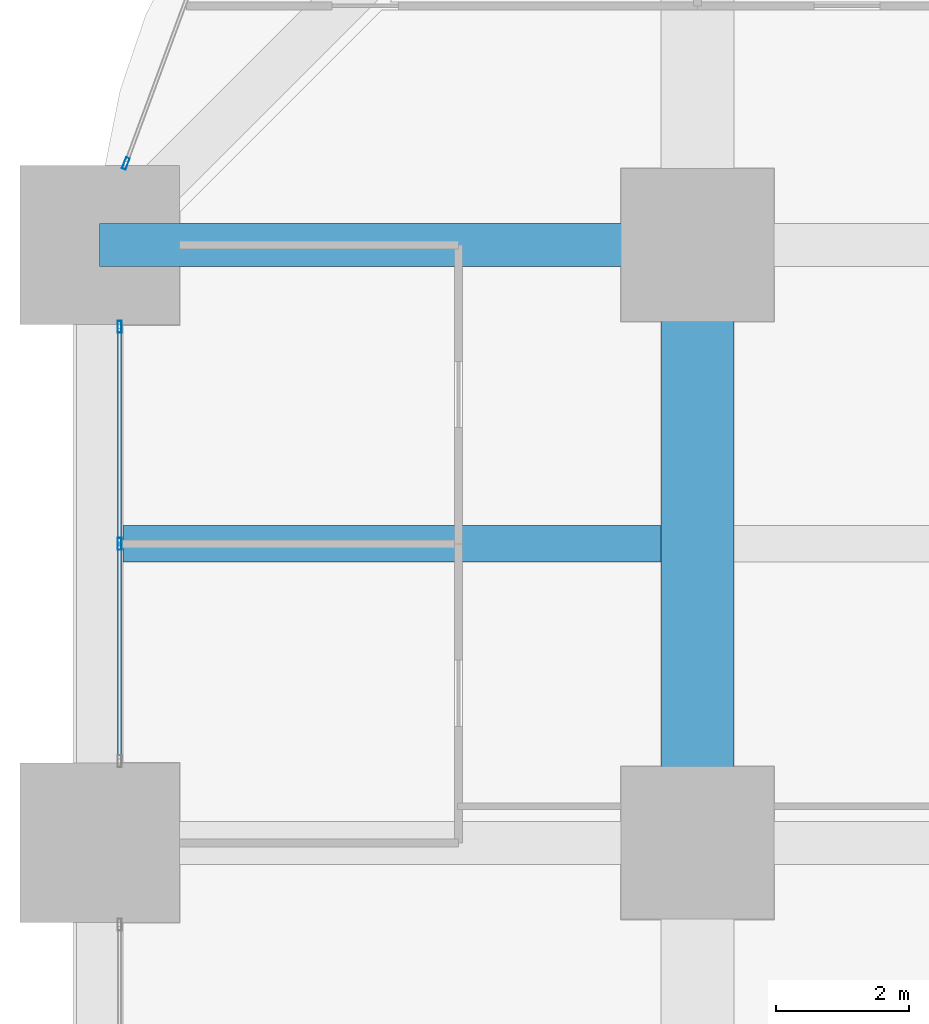
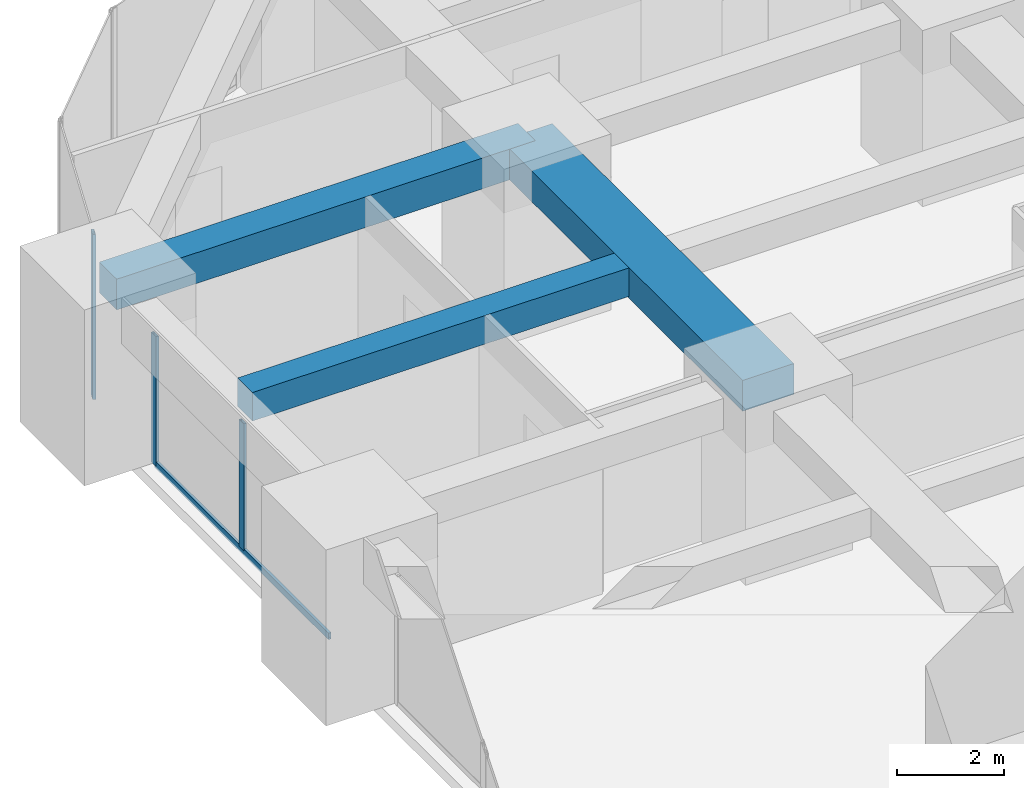
# One storey, part 25 of 44: 4 members, 3 beams, 2 elements without a shape of their own.
"""IFC4 building model written with IfcOpenShell, lengths in metres."""

from ifc_helpers import new_model, si_unit, direction, frame, origin, origin_2d, place, context, subcontext, project, spatial, rectangle, hollow_rectangle, extrude, material, material_profile, profile_set, type_object, element, aggregate, save


model = new_model("IFC4")

# Units and contexts
model_context = context("Model", 3, precision=1e-05, world=origin(), true_north=direction((0.0, 1.0)))
body_context = subcontext(model_context, "Body", "Model", "MODEL_VIEW")
ifc_project = project(units=[si_unit("LENGTHUNIT", "METRE"), si_unit("AREAUNIT", "SQUARE_METRE"), si_unit("VOLUMEUNIT", "CUBIC_METRE"), si_unit("PLANEANGLEUNIT", "RADIAN"), si_unit("MASSUNIT", "GRAM", prefix="KILO")], contexts=[model_context])

# Site, building, storey
site_placement = place(None, origin())
site = spatial("IfcSite", under=ifc_project, at=site_placement, CompositionType="ELEMENT")
building_placement = place(site_placement, origin())
building = spatial("IfcBuilding", under=site, at=building_placement, Name="Zorevar Civic Tower", CompositionType="ELEMENT")
storey_placement = place(building_placement, frame((0.0, 0.0, 35.800048828125)))
storey = spatial("IfcBuildingStorey", under=building, at=storey_placement, Name="L08", CompositionType="ELEMENT", Elevation=35.800048828125)

# Beams
ifc_material_1 = material(Name="Concrete C50/60", Category="concrete")
ifc_material_profile_1 = material_profile(ifc_material_1, rectangle(XDim=1.10009765625, YDim=0.699951171875, at=origin_2d()), Name="RC 1100x700")
ifc_profile_set_1 = profile_set([ifc_material_profile_1], Name="Concrete C50/60")
beam_type_1 = type_object("IfcBeamType", Name="Beam RC 1100x700", PredefinedType="BEAM", material=ifc_profile_set_1)
beam_1_placement = place(storey_placement, frame((9.0, 36.0, 3.39990234375), z_axis=(0.0, 1.0, 0.0), x_axis=(-1.0, 0.0, 0.0)))
element("IfcBeam", 1, at=beam_1_placement, inside=storey, type_object=beam_type_1, Name="Girder L09", PredefinedType="BEAM", context=body_context, shape_type="SweptSolid", body=[
    extrude(rectangle(XDim=1.10009765625, YDim=0.699951171875, at=origin_2d()), origin(), (0.0, 0.0, 1.0), 9.0),
])
ifc_material_2 = material(Name="Concrete C50/60", Category="concrete")
ifc_material_profile_2 = material_profile(ifc_material_2, rectangle(XDim=0.550048828125, YDim=0.64990234375, at=origin_2d()), Name="RC 550x650")
ifc_profile_set_2 = profile_set([ifc_material_profile_2], Name="Concrete C50/60")
beam_type_2 = type_object("IfcBeamType", Name="Beam RC 550x650", PredefinedType="BEAM", material=ifc_profile_set_2)
beam_2_placement = place(storey_placement, frame((0.35009765625, 40.5, 3.425048828125), z_axis=(1.0, 0.0, 0.0), x_axis=(0.0, 1.0, 0.0)))
element("IfcBeam", 2, at=beam_2_placement, inside=storey, type_object=beam_type_2, Name="Secondary beam L09", PredefinedType="BEAM", context=body_context, shape_type="SweptSolid", body=[
    extrude(rectangle(XDim=0.550048828125, YDim=0.64990234375, at=origin_2d()), origin(), (0.0, 0.0, 1.0), 8.099853515625),
])
ifc_material_3 = material(Name="Concrete C50/60", Category="concrete")
ifc_material_profile_3 = material_profile(ifc_material_3, rectangle(XDim=0.64990234375, YDim=0.699951171875, at=origin_2d()), Name="RC 650x700")
ifc_profile_set_3 = profile_set([ifc_material_profile_3], Name="Concrete C50/60")
beam_type_3 = type_object("IfcBeamType", Name="Beam RC 650x700", PredefinedType="BEAM", material=ifc_profile_set_3)
beam_3_placement = place(storey_placement, frame((0.0, 45.0, 3.39990234375), z_axis=(1.0, 0.0, 0.0), x_axis=(0.0, 1.0, 0.0)))
element("IfcBeam", 3, at=beam_3_placement, inside=storey, type_object=beam_type_3, Name="Girder L09", PredefinedType="BEAM", context=body_context, shape_type="SweptSolid", body=[
    extrude(rectangle(XDim=0.64990234375, YDim=0.699951171875, at=origin_2d()), origin(), (0.0, 0.0, 1.0), 9.0),
])

# Curtain wall, members
ifc_material_4 = material(Name="Dark grey solar-control glass in black aluminium frame", Category="aluminium")
curtain_wall_type = type_object("IfcCurtainWallType", Name="Curtain wall CW2 low zone", PredefinedType="NOTDEFINED", material=ifc_material_4)
curtain_wall_1_placement = place(storey_placement, origin())
curtain_wall_1 = element("IfcCurtainWall", 4, at=curtain_wall_1_placement, inside=storey, type_object=curtain_wall_type, Name="CW2 L08", PredefinedType="NOTDEFINED")
ifc_material_5 = material(Name="Aluminium, black anodised", Category="aluminium")
ifc_material_profile_4 = material_profile(ifc_material_5, hollow_rectangle(XDim=0.06005859375, YDim=0.179931640625, WallThickness=0.00390625, at=origin_2d()), Name="AL 180x60x4")
ifc_profile_set_4 = profile_set([ifc_material_profile_4], Name="Aluminium, black anodised")
member_type_1 = type_object("IfcMemberType", Name="CW2 mullion AL 180x60x4", PredefinedType="MULLION", material=ifc_profile_set_4)
member_1_placement = place(storey_placement, frame((0.300048828125, 40.5, 0.06005859375), z_axis=(0.0, 0.0, 1.0), x_axis=(-1.0, 0.0, 0.0)))
member_1 = element("IfcMember", 5, at=member_1_placement, type_object=member_type_1, Name="CW2 mullion 2", PredefinedType="MULLION", context=body_context, shape_type="SweptSolid", body=[
    extrude(hollow_rectangle(XDim=0.06005859375, YDim=0.179931640625, WallThickness=0.00390625, at=origin_2d()), origin(), (0.0, 0.0, 1.0), 2.889892578125),
])
member_2_placement = place(storey_placement, frame((0.300048828125, 43.77001953125, 0.0), z_axis=(0.0, 0.0, 1.0), x_axis=(-1.0, 0.0, 0.0)))
member_2 = element("IfcMember", 6, at=member_2_placement, type_object=member_type_1, Name="CW2 mullion 3", PredefinedType="MULLION", context=body_context, shape_type="SweptSolid", body=[
    extrude(hollow_rectangle(XDim=0.06005859375, YDim=0.179931640625, WallThickness=0.00390625, at=origin_2d()), origin(), (0.0, 0.0, 1.0), 2.949951171875),
])

# Curtain wall, member
curtain_wall_2_placement = place(storey_placement, origin())
curtain_wall_2 = element("IfcCurtainWall", 7, at=curtain_wall_2_placement, inside=storey, type_object=curtain_wall_type, Name="CW2 L08", PredefinedType="NOTDEFINED")
member_3_placement = place(storey_placement, frame((0.3935546875, 46.22802734375, 0.0), z_axis=(0.0, 0.0, 1.0), x_axis=(0.937974588163, -0.346704012033, 0.0)))
member_3 = element("IfcMember", 8, at=member_3_placement, type_object=member_type_1, Name="CW2 mullion 2", PredefinedType="MULLION", context=body_context, shape_type="SweptSolid", body=[
    extrude(hollow_rectangle(XDim=0.06005859375, YDim=0.179931640625, WallThickness=0.00390625, at=origin_2d()), origin(), (0.0, 0.0, 1.0), 3.75),
])
aggregate(curtain_wall_2, [member_3])

# Member
ifc_material_6 = material(Name="Aluminium, black anodised", Category="aluminium")
ifc_material_profile_5 = material_profile(ifc_material_6, hollow_rectangle(XDim=0.06005859375, YDim=0.14990234375, WallThickness=0.00390625, at=origin_2d()), Name="AL 150x60x4")
ifc_profile_set_5 = profile_set([ifc_material_profile_5], Name="Aluminium, black anodised")
member_type_2 = type_object("IfcMemberType", Name="CW2 transom AL 150x60x4", PredefinedType="USERDEFINED", material=ifc_profile_set_5)
member_4_placement = place(storey_placement, frame((0.300048828125, 37.260009765625, 0.030029296875), z_axis=(0.0, 1.0, 0.0), x_axis=(-1.0, 0.0, 0.0)))
member_4 = element("IfcMember", 9, at=member_4_placement, type_object=member_type_2, Name="CW2 sill transom", ObjectType="TRANSOM", PredefinedType="USERDEFINED", context=body_context, shape_type="SweptSolid", body=[
    extrude(hollow_rectangle(XDim=0.06005859375, YDim=0.14990234375, WallThickness=0.00390625, at=origin_2d()), origin(), (0.0, 0.0, 1.0), 6.47998046875),
])

aggregate(curtain_wall_1, [member_1, member_2, member_4])

save(model, "model.ifc")
